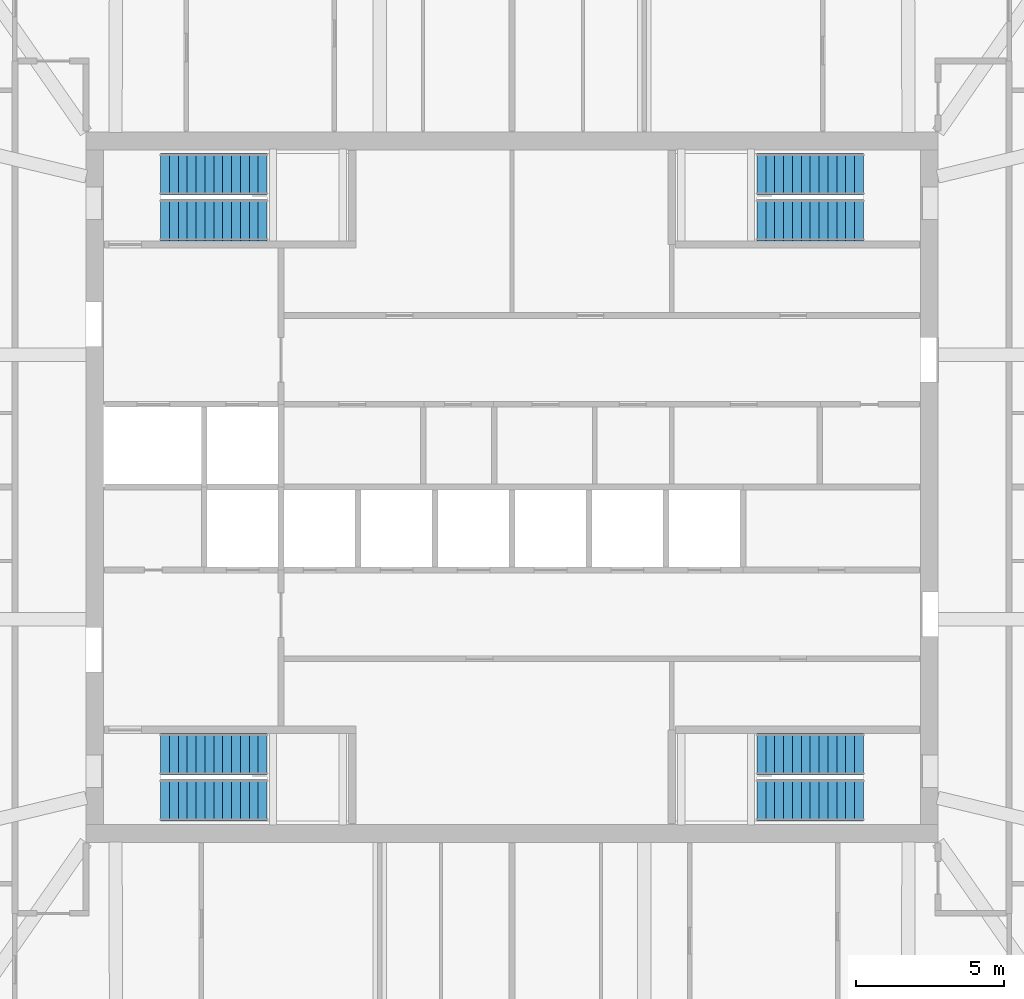
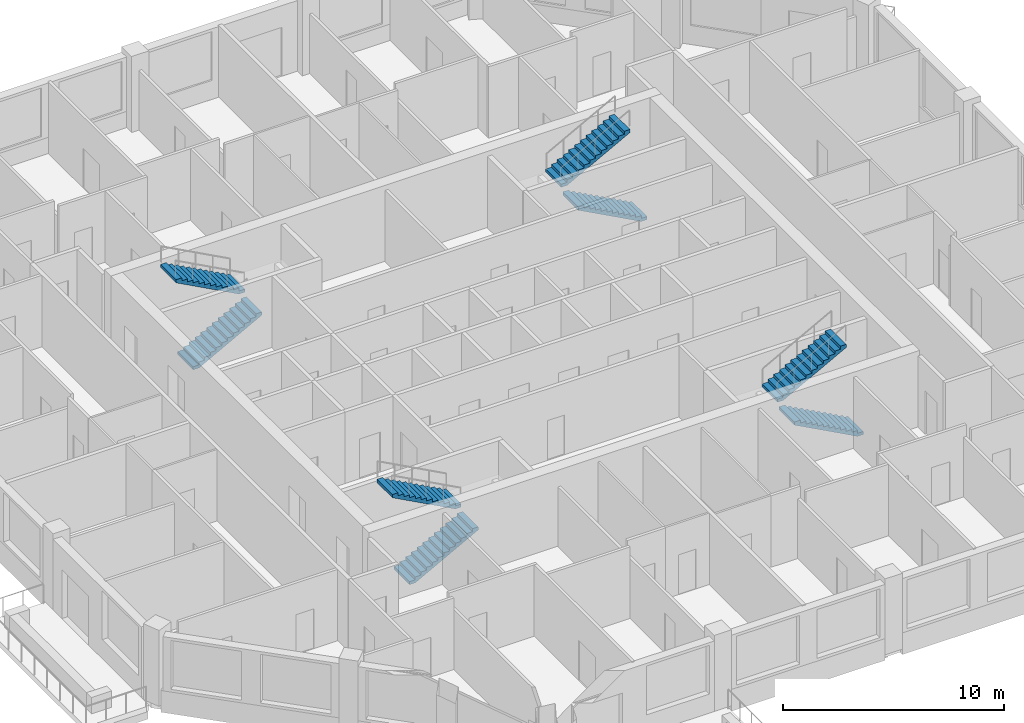
# One storey, part 10 of 11: 8 stair flights, 4 elements without a shape of their own.
"""IFC4 building model written with IfcOpenShell, lengths in metres."""

from ifc_helpers import new_model, si_unit, direction, frame, origin, place, context, subcontext, project, spatial, polyline, outline, extrude, material, type_object, element, aggregate, save


model = new_model("IFC4")

# Units and contexts
model_context = context("Model", 3, precision=1e-05, world=origin(), true_north=direction((0.0, 1.0)))
body_context = subcontext(model_context, "Body", "Model", "MODEL_VIEW")
ifc_project = project(units=[si_unit("LENGTHUNIT", "METRE"), si_unit("AREAUNIT", "SQUARE_METRE"), si_unit("VOLUMEUNIT", "CUBIC_METRE"), si_unit("PLANEANGLEUNIT", "RADIAN"), si_unit("MASSUNIT", "GRAM", prefix="KILO")], contexts=[model_context])

# Site, building, storey
site_placement = place(None, origin())
site = spatial("IfcSite", under=ifc_project, at=site_placement, CompositionType="ELEMENT")
building_placement = place(site_placement, origin())
building = spatial("IfcBuilding", under=site, at=building_placement, Name="Msitu Wima Residences", CompositionType="ELEMENT")
storey_placement = place(building_placement, frame((0.0, 0.0, 226.5)))
storey = spatial("IfcBuildingStorey", under=building, at=storey_placement, Name="L52", CompositionType="ELEMENT", Elevation=226.5)

# Stair, stair flights
ifc_material = material(Name="Concrete C40/50", Category="concrete")
stair_type = type_object("IfcStairType", Name="Exit stair ES1615-140", PredefinedType="HALF_TURN_STAIR", material=ifc_material)
stair_1_placement = place(storey_placement, origin())
stair_1 = element("IfcStair", 1, at=stair_1_placement, inside=storey, type_object=stair_type, Name="Exit stair 1", PredefinedType="HALF_TURN_STAIR")
stair_flight_type = type_object("IfcStairFlightType", Name="Exit stair flight ES1615-140", PredefinedType="STRAIGHT", material=ifc_material)
stair_flight_1_placement = place(storey_placement, frame((-11.875, 9.02490234375, 0.0), z_axis=(0.0, 0.0, 1.0), x_axis=(1.0, 0.0, 0.0)))
stair_flight_1 = element("IfcStairFlight", 2, at=stair_flight_1_placement, type_object=stair_flight_type, Name="S1 flight 1", NumberOfRisers=13, NumberOfTreads=12, PredefinedType="STRAIGHT", RiserHeight=0.161538462, TreadLength=0.3, context=body_context, shape_type="SweptSolid", body=[
    extrude(outline(polyline([(0.0, 0.0), (0.0, 0.16162109375), (0.300048828125, 0.16162109375), (0.300048828125, 0.322998046875), (0.60009765625, 0.322998046875), (0.60009765625, 0.484619140625), (0.89990234375, 0.484619140625), (0.89990234375, 0.646240234375), (1.199951171875, 0.646240234375), (1.199951171875, 0.8076171875), (1.5, 0.8076171875), (1.5, 0.96923828125), (1.800048828125, 0.96923828125), (1.800048828125, 1.130859375), (2.10009765625, 1.130859375), (2.10009765625, 1.292236328125), (2.39990234375, 1.292236328125), (2.39990234375, 1.453857421875), (2.699951171875, 1.453857421875), (2.699951171875, 1.615478515625), (3.0, 1.615478515625), (3.0, 1.77685546875), (3.300048828125, 1.77685546875), (3.300048828125, 1.9384765625), (3.60009765625, 1.9384765625), (3.60009765625, 2.10009765625), (3.60009765625, 1.768310546875), (0.316162109375, 0.0), (0.0, 0.0)])), frame((0.0, 0.699951171875, 0.0), z_axis=(0.0, -1.0, 0.0), x_axis=(1.0, 0.0, 0.0)), (0.0, 0.0, 1.0), 1.39990234375),
])
stair_flight_2_placement = place(storey_placement, frame((-8.27490234375, 10.574951171875, 2.10009765625), z_axis=(0.0, 0.0, 1.0), x_axis=(-1.0, 0.0, 0.0)))
stair_flight_2 = element("IfcStairFlight", 3, at=stair_flight_2_placement, type_object=stair_flight_type, Name="S1 flight 2", NumberOfRisers=13, NumberOfTreads=12, PredefinedType="STRAIGHT", RiserHeight=0.161538462, TreadLength=0.3, context=body_context, shape_type="SweptSolid", body=[
    extrude(outline(polyline([(0.0, 0.0), (0.0, 0.16162109375), (0.300048828125, 0.16162109375), (0.300048828125, 0.322998046875), (0.60009765625, 0.322998046875), (0.60009765625, 0.484619140625), (0.89990234375, 0.484619140625), (0.89990234375, 0.646240234375), (1.199951171875, 0.646240234375), (1.199951171875, 0.8076171875), (1.5, 0.8076171875), (1.5, 0.96923828125), (1.800048828125, 0.96923828125), (1.800048828125, 1.130859375), (2.10009765625, 1.130859375), (2.10009765625, 1.292236328125), (2.39990234375, 1.292236328125), (2.39990234375, 1.453857421875), (2.699951171875, 1.453857421875), (2.699951171875, 1.615478515625), (3.0, 1.615478515625), (3.0, 1.77685546875), (3.300048828125, 1.77685546875), (3.300048828125, 1.9384765625), (3.60009765625, 1.9384765625), (3.60009765625, 2.10009765625), (3.60009765625, 1.768310546875), (0.316162109375, 0.0), (0.0, 0.0)])), frame((0.0, 0.699951171875, 0.0), z_axis=(0.0, -1.0, 0.0), x_axis=(1.0, 0.0, 0.0)), (0.0, 0.0, 1.0), 1.39990234375),
])
aggregate(stair_1, [stair_flight_1, stair_flight_2])

stair_2_placement = place(storey_placement, origin())
stair_2 = element("IfcStair", 4, at=stair_2_placement, inside=storey, type_object=stair_type, Name="Exit stair 2", PredefinedType="HALF_TURN_STAIR")
stair_flight_3_placement = place(storey_placement, frame((-11.875, -10.574951171875, 0.0), z_axis=(0.0, 0.0, 1.0), x_axis=(1.0, 0.0, 0.0)))
stair_flight_3 = element("IfcStairFlight", 5, at=stair_flight_3_placement, type_object=stair_flight_type, Name="S2 flight 1", NumberOfRisers=13, NumberOfTreads=12, PredefinedType="STRAIGHT", RiserHeight=0.161538462, TreadLength=0.3, context=body_context, shape_type="SweptSolid", body=[
    extrude(outline(polyline([(0.0, 0.0), (0.0, 0.16162109375), (0.300048828125, 0.16162109375), (0.300048828125, 0.322998046875), (0.60009765625, 0.322998046875), (0.60009765625, 0.484619140625), (0.89990234375, 0.484619140625), (0.89990234375, 0.646240234375), (1.199951171875, 0.646240234375), (1.199951171875, 0.8076171875), (1.5, 0.8076171875), (1.5, 0.96923828125), (1.800048828125, 0.96923828125), (1.800048828125, 1.130859375), (2.10009765625, 1.130859375), (2.10009765625, 1.292236328125), (2.39990234375, 1.292236328125), (2.39990234375, 1.453857421875), (2.699951171875, 1.453857421875), (2.699951171875, 1.615478515625), (3.0, 1.615478515625), (3.0, 1.77685546875), (3.300048828125, 1.77685546875), (3.300048828125, 1.9384765625), (3.60009765625, 1.9384765625), (3.60009765625, 2.10009765625), (3.60009765625, 1.768310546875), (0.316162109375, 0.0), (0.0, 0.0)])), frame((0.0, 0.699951171875, 0.0), z_axis=(0.0, -1.0, 0.0), x_axis=(1.0, 0.0, 0.0)), (0.0, 0.0, 1.0), 1.39990234375),
])
stair_flight_4_placement = place(storey_placement, frame((-8.27490234375, -9.02490234375, 2.10009765625), z_axis=(0.0, 0.0, 1.0), x_axis=(-1.0, 0.0, 0.0)))
stair_flight_4 = element("IfcStairFlight", 6, at=stair_flight_4_placement, type_object=stair_flight_type, Name="S2 flight 2", NumberOfRisers=13, NumberOfTreads=12, PredefinedType="STRAIGHT", RiserHeight=0.161538462, TreadLength=0.3, context=body_context, shape_type="SweptSolid", body=[
    extrude(outline(polyline([(0.0, 0.0), (0.0, 0.16162109375), (0.300048828125, 0.16162109375), (0.300048828125, 0.322998046875), (0.60009765625, 0.322998046875), (0.60009765625, 0.484619140625), (0.89990234375, 0.484619140625), (0.89990234375, 0.646240234375), (1.199951171875, 0.646240234375), (1.199951171875, 0.8076171875), (1.5, 0.8076171875), (1.5, 0.96923828125), (1.800048828125, 0.96923828125), (1.800048828125, 1.130859375), (2.10009765625, 1.130859375), (2.10009765625, 1.292236328125), (2.39990234375, 1.292236328125), (2.39990234375, 1.453857421875), (2.699951171875, 1.453857421875), (2.699951171875, 1.615478515625), (3.0, 1.615478515625), (3.0, 1.77685546875), (3.300048828125, 1.77685546875), (3.300048828125, 1.9384765625), (3.60009765625, 1.9384765625), (3.60009765625, 2.10009765625), (3.60009765625, 1.768310546875), (0.316162109375, 0.0), (0.0, 0.0)])), frame((0.0, 0.699951171875, 0.0), z_axis=(0.0, -1.0, 0.0), x_axis=(1.0, 0.0, 0.0)), (0.0, 0.0, 1.0), 1.39990234375),
])
aggregate(stair_2, [stair_flight_3, stair_flight_4])

stair_3_placement = place(storey_placement, origin())
stair_3 = element("IfcStair", 7, at=stair_3_placement, inside=storey, type_object=stair_type, Name="Exit stair 3", PredefinedType="HALF_TURN_STAIR")
stair_flight_5_placement = place(storey_placement, frame((11.875, 9.02490234375, 0.0), z_axis=(0.0, 0.0, 1.0), x_axis=(-1.0, 0.0, 0.0)))
stair_flight_5 = element("IfcStairFlight", 8, at=stair_flight_5_placement, type_object=stair_flight_type, Name="S3 flight 1", NumberOfRisers=13, NumberOfTreads=12, PredefinedType="STRAIGHT", RiserHeight=0.161538462, TreadLength=0.3, context=body_context, shape_type="SweptSolid", body=[
    extrude(outline(polyline([(0.0, 0.0), (0.0, 0.16162109375), (0.300048828125, 0.16162109375), (0.300048828125, 0.322998046875), (0.60009765625, 0.322998046875), (0.60009765625, 0.484619140625), (0.89990234375, 0.484619140625), (0.89990234375, 0.646240234375), (1.199951171875, 0.646240234375), (1.199951171875, 0.8076171875), (1.5, 0.8076171875), (1.5, 0.96923828125), (1.800048828125, 0.96923828125), (1.800048828125, 1.130859375), (2.10009765625, 1.130859375), (2.10009765625, 1.292236328125), (2.39990234375, 1.292236328125), (2.39990234375, 1.453857421875), (2.699951171875, 1.453857421875), (2.699951171875, 1.615478515625), (3.0, 1.615478515625), (3.0, 1.77685546875), (3.300048828125, 1.77685546875), (3.300048828125, 1.9384765625), (3.60009765625, 1.9384765625), (3.60009765625, 2.10009765625), (3.60009765625, 1.768310546875), (0.316162109375, 0.0), (0.0, 0.0)])), frame((0.0, 0.699951171875, 0.0), z_axis=(0.0, -1.0, 0.0), x_axis=(1.0, 0.0, 0.0)), (0.0, 0.0, 1.0), 1.39990234375),
])
stair_flight_6_placement = place(storey_placement, frame((8.27490234375, 10.574951171875, 2.10009765625), z_axis=(0.0, 0.0, 1.0), x_axis=(1.0, 0.0, 0.0)))
stair_flight_6 = element("IfcStairFlight", 9, at=stair_flight_6_placement, type_object=stair_flight_type, Name="S3 flight 2", NumberOfRisers=13, NumberOfTreads=12, PredefinedType="STRAIGHT", RiserHeight=0.161538462, TreadLength=0.3, context=body_context, shape_type="SweptSolid", body=[
    extrude(outline(polyline([(0.0, 0.0), (0.0, 0.16162109375), (0.300048828125, 0.16162109375), (0.300048828125, 0.322998046875), (0.60009765625, 0.322998046875), (0.60009765625, 0.484619140625), (0.89990234375, 0.484619140625), (0.89990234375, 0.646240234375), (1.199951171875, 0.646240234375), (1.199951171875, 0.8076171875), (1.5, 0.8076171875), (1.5, 0.96923828125), (1.800048828125, 0.96923828125), (1.800048828125, 1.130859375), (2.10009765625, 1.130859375), (2.10009765625, 1.292236328125), (2.39990234375, 1.292236328125), (2.39990234375, 1.453857421875), (2.699951171875, 1.453857421875), (2.699951171875, 1.615478515625), (3.0, 1.615478515625), (3.0, 1.77685546875), (3.300048828125, 1.77685546875), (3.300048828125, 1.9384765625), (3.60009765625, 1.9384765625), (3.60009765625, 2.10009765625), (3.60009765625, 1.768310546875), (0.316162109375, 0.0), (0.0, 0.0)])), frame((0.0, 0.699951171875, 0.0), z_axis=(0.0, -1.0, 0.0), x_axis=(1.0, 0.0, 0.0)), (0.0, 0.0, 1.0), 1.39990234375),
])
aggregate(stair_3, [stair_flight_5, stair_flight_6])

stair_4_placement = place(storey_placement, origin())
stair_4 = element("IfcStair", 10, at=stair_4_placement, inside=storey, type_object=stair_type, Name="Exit stair 4", PredefinedType="HALF_TURN_STAIR")
stair_flight_7_placement = place(storey_placement, frame((11.875, -10.574951171875, 0.0), z_axis=(0.0, 0.0, 1.0), x_axis=(-1.0, 0.0, 0.0)))
stair_flight_7 = element("IfcStairFlight", 11, at=stair_flight_7_placement, type_object=stair_flight_type, Name="S4 flight 1", NumberOfRisers=13, NumberOfTreads=12, PredefinedType="STRAIGHT", RiserHeight=0.161538462, TreadLength=0.3, context=body_context, shape_type="SweptSolid", body=[
    extrude(outline(polyline([(0.0, 0.0), (0.0, 0.16162109375), (0.300048828125, 0.16162109375), (0.300048828125, 0.322998046875), (0.60009765625, 0.322998046875), (0.60009765625, 0.484619140625), (0.89990234375, 0.484619140625), (0.89990234375, 0.646240234375), (1.199951171875, 0.646240234375), (1.199951171875, 0.8076171875), (1.5, 0.8076171875), (1.5, 0.96923828125), (1.800048828125, 0.96923828125), (1.800048828125, 1.130859375), (2.10009765625, 1.130859375), (2.10009765625, 1.292236328125), (2.39990234375, 1.292236328125), (2.39990234375, 1.453857421875), (2.699951171875, 1.453857421875), (2.699951171875, 1.615478515625), (3.0, 1.615478515625), (3.0, 1.77685546875), (3.300048828125, 1.77685546875), (3.300048828125, 1.9384765625), (3.60009765625, 1.9384765625), (3.60009765625, 2.10009765625), (3.60009765625, 1.768310546875), (0.316162109375, 0.0), (0.0, 0.0)])), frame((0.0, 0.699951171875, 0.0), z_axis=(0.0, -1.0, 0.0), x_axis=(1.0, 0.0, 0.0)), (0.0, 0.0, 1.0), 1.39990234375),
])
stair_flight_8_placement = place(storey_placement, frame((8.27490234375, -9.02490234375, 2.10009765625), z_axis=(0.0, 0.0, 1.0), x_axis=(1.0, 0.0, 0.0)))
stair_flight_8 = element("IfcStairFlight", 12, at=stair_flight_8_placement, type_object=stair_flight_type, Name="S4 flight 2", NumberOfRisers=13, NumberOfTreads=12, PredefinedType="STRAIGHT", RiserHeight=0.161538462, TreadLength=0.3, context=body_context, shape_type="SweptSolid", body=[
    extrude(outline(polyline([(0.0, 0.0), (0.0, 0.16162109375), (0.300048828125, 0.16162109375), (0.300048828125, 0.322998046875), (0.60009765625, 0.322998046875), (0.60009765625, 0.484619140625), (0.89990234375, 0.484619140625), (0.89990234375, 0.646240234375), (1.199951171875, 0.646240234375), (1.199951171875, 0.8076171875), (1.5, 0.8076171875), (1.5, 0.96923828125), (1.800048828125, 0.96923828125), (1.800048828125, 1.130859375), (2.10009765625, 1.130859375), (2.10009765625, 1.292236328125), (2.39990234375, 1.292236328125), (2.39990234375, 1.453857421875), (2.699951171875, 1.453857421875), (2.699951171875, 1.615478515625), (3.0, 1.615478515625), (3.0, 1.77685546875), (3.300048828125, 1.77685546875), (3.300048828125, 1.9384765625), (3.60009765625, 1.9384765625), (3.60009765625, 2.10009765625), (3.60009765625, 1.768310546875), (0.316162109375, 0.0), (0.0, 0.0)])), frame((0.0, 0.699951171875, 0.0), z_axis=(0.0, -1.0, 0.0), x_axis=(1.0, 0.0, 0.0)), (0.0, 0.0, 1.0), 1.39990234375),
])
aggregate(stair_4, [stair_flight_7, stair_flight_8])

save(model, "model.ifc")
